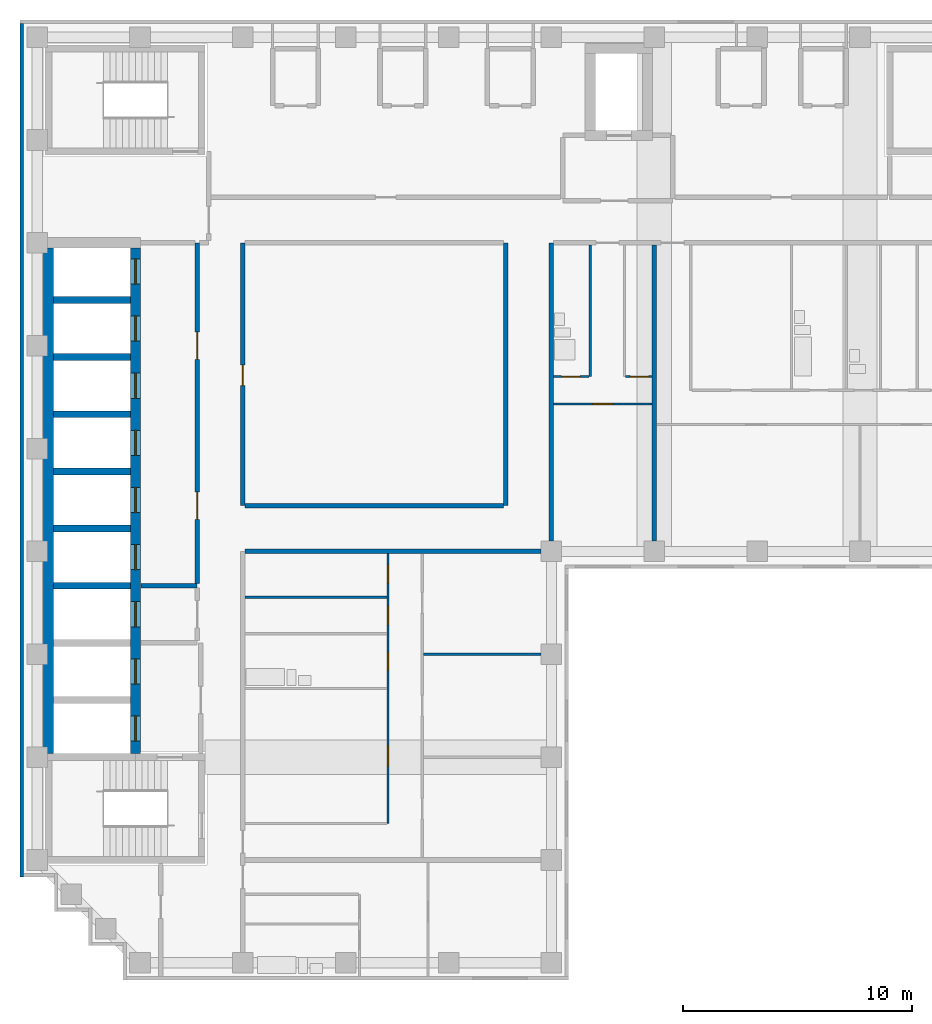
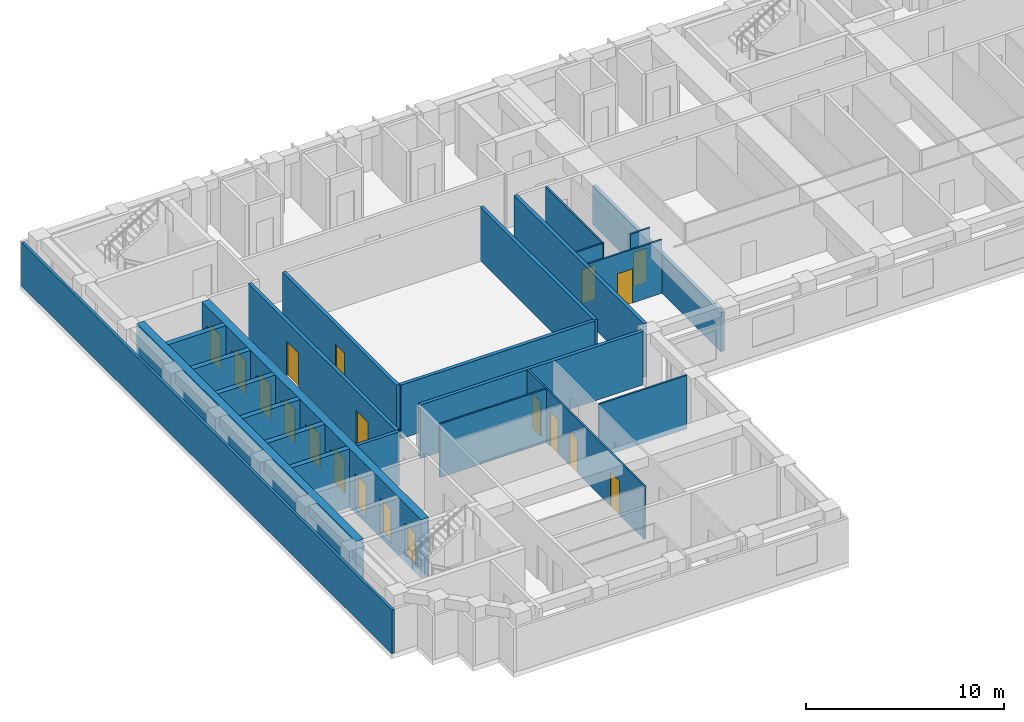
# One storey, part 3 of 9: 24 walls, 19 doors, 19 openings.
"""IFC4 building model written with IfcOpenShell, lengths in metres."""

from ifc_helpers import new_model, si_unit, direction, frame, frame_2d, origin, place, context, subcontext, project, spatial, rectangle, extrude, material, layer, layer_set, type_object, element, fill, save


model = new_model("IFC4")

# Units and contexts
model_context = context("Model", 3, precision=1e-05, world=origin(), true_north=direction((0.0, 1.0)))
body_context = subcontext(model_context, "Body", "Model", "MODEL_VIEW")
ifc_project = project(units=[si_unit("LENGTHUNIT", "METRE"), si_unit("AREAUNIT", "SQUARE_METRE"), si_unit("VOLUMEUNIT", "CUBIC_METRE"), si_unit("PLANEANGLEUNIT", "RADIAN"), si_unit("MASSUNIT", "GRAM", prefix="KILO")], contexts=[model_context])

# Site, building, storey
site_placement = place(None, origin())
site = spatial("IfcSite", under=ifc_project, at=site_placement, CompositionType="ELEMENT")
building_placement = place(site_placement, origin())
building = spatial("IfcBuilding", under=site, at=building_placement, Name="Firuza Court", CompositionType="ELEMENT")
storey_placement = place(building_placement, frame((0.0, 0.0, 215.0)))
storey = spatial("IfcBuildingStorey", under=building, at=storey_placement, Name="L55", CompositionType="ELEMENT", Elevation=215.0)

# Walls
ifc_material_1 = material(Name="Moisture-resistant gypsum board partition")
ifc_layer_1 = layer(ifc_material_1, 0.10009765625)
ifc_layer_set_1 = layer_set([ifc_layer_1], Name="Moisture-resistant gypsum board partition")
wall_type_1 = type_object("IfcWallType", Name="Bathroom partition 100", PredefinedType="PLUMBINGWALL", material=ifc_layer_set_1)
wall_1_placement = place(storey_placement, frame((24.199951171875, 43.64990234375, 0.0), z_axis=(0.0, 0.0, 1.0), x_axis=(0.0, 1.0, 0.0)))
element("IfcWall", 1, at=wall_1_placement, inside=storey, type_object=wall_type_1, Name="Bathroom partition 100 L55", PredefinedType="PLUMBINGWALL", context=body_context, shape_type="SweptSolid", body=[
    extrude(rectangle(XDim=5.75, YDim=0.10009765625, at=frame_2d((2.875, 0.0))), origin(), (0.0, 0.0, 1.0), 3.300048828125),
])
ifc_material_2 = material(Name="Concrete C50/60", Category="concrete")
ifc_layer_2 = layer(ifc_material_2, 0.300048828125)
ifc_layer_set_2 = layer_set([ifc_layer_2], Name="Concrete C50/60")
wall_type_2 = type_object("IfcWallType", Name="Core wall 300 C50/60", PredefinedType="SHEAR", material=ifc_layer_set_2)
for number, where, z_axis, x_axis, name in (
    (2, (0.72509765625, 34.5, -0.300048828125), (0.0, 0.0, 1.0), (1.0, 0.0, 0.0), "Core wall lift shaft L55"),
    (3, (0.72509765625, 37.0, -0.300048828125), (0.0, 0.0, 1.0), (1.0, 0.0, 0.0), "Core wall lift shaft L55"),
    (4, (0.72509765625, 39.5, -0.300048828125), (0.0, 0.0, 1.0), (1.0, 0.0, 0.0), "Core wall lift shaft L55"),
    (5, (0.72509765625, 42.0, -0.300048828125), (0.0, 0.0, 1.0), (1.0, 0.0, 0.0), "Core wall lift shaft L55"),
    (6, (0.72509765625, 44.5, -0.300048828125), (0.0, 0.0, 1.0), (1.0, 0.0, 0.0), "Core wall lift shaft L55"),
    (7, (0.72509765625, 47.0, -0.300048828125), (0.0, 0.0, 1.0), (1.0, 0.0, 0.0), "Core wall lift shaft L55"),
):
    element("IfcWall", number, at=place(storey_placement, frame(where, z_axis=z_axis, x_axis=x_axis)), inside=storey, type_object=wall_type_2, Name=name, PredefinedType="SHEAR", context=body_context, shape_type="SweptSolid", body=[
        extrude(rectangle(XDim=3.349853515625, YDim=0.300048828125, at=frame_2d((1.6748046875, 0.0))), origin(), (0.0, 0.0, 1.0), 3.60009765625),
    ])
ifc_layer_3 = layer(ifc_material_2, 0.449951171875)
ifc_layer_set_3 = layer_set([ifc_layer_3], Name="Concrete C50/60")
wall_type_3 = type_object("IfcWallType", Name="Core wall 450 C50/60", PredefinedType="SHEAR", material=ifc_layer_set_3)
wall_2_placement = place(storey_placement, frame((0.5, 27.14990234375, -0.300048828125), z_axis=(0.0, 0.0, 1.0), x_axis=(0.0, 1.0, 0.0)))
element("IfcWall", 8, at=wall_2_placement, inside=storey, type_object=wall_type_3, Name="Core wall lift shaft L55", PredefinedType="SHEAR", context=body_context, shape_type="SweptSolid", body=[
    extrude(rectangle(XDim=22.125, YDim=0.449951171875, at=frame_2d((11.0625, 0.0))), origin(), (0.0, 0.0, 1.0), 3.60009765625),
])

# Wall, openings, doors
wall_3_placement = place(storey_placement, frame((4.300048828125, 27.14990234375, -0.300048828125), z_axis=(0.0, 0.0, 1.0), x_axis=(0.0, 1.0, 0.0)))
wall_3 = element("IfcWall", 9, at=wall_3_placement, inside=storey, type_object=wall_type_3, Name="Core wall lift shaft L55", PredefinedType="SHEAR", context=body_context, shape_type="SweptSolid", body=[
    extrude(rectangle(XDim=22.125, YDim=0.449951171875, at=frame_2d((11.0625, 0.0))), origin(), (0.0, 0.0, 1.0), 3.60009765625),
])
opening_1_placement = place(wall_3_placement, frame((3.050048828125, 0.0, 0.300048828125)))
opening_1 = element("IfcOpeningElement", 10, at=opening_1_placement, cuts=wall_3, Name="Opening LD-FL1-55", PredefinedType="OPENING", context=body_context, shape_type="SweptSolid", body=[
    extrude(rectangle(XDim=1.10009765625, YDim=2.10009765625, at=frame_2d((0.550048828125, 1.050048828125))), frame((0.0, 0.23681640625, 0.0), z_axis=(0.0, -1.0, 0.0), x_axis=(1.0, 0.0, 0.0)), (0.0, 0.0, 1.0), 0.473876953125),
])
opening_2_placement = place(wall_3_placement, frame((0.550048828125, 0.0, 0.300048828125)))
opening_2 = element("IfcOpeningElement", 11, at=opening_2_placement, cuts=wall_3, Name="Opening LD-FL2-55", PredefinedType="OPENING", context=body_context, shape_type="SweptSolid", body=[
    extrude(rectangle(XDim=1.10009765625, YDim=2.10009765625, at=frame_2d((0.550048828125, 1.050048828125))), frame((0.0, 0.23681640625, 0.0), z_axis=(0.0, -1.0, 0.0), x_axis=(1.0, 0.0, 0.0)), (0.0, 0.0, 1.0), 0.473876953125),
])
opening_3_placement = place(wall_3_placement, frame((20.550048828125, 0.0, 0.300048828125)))
opening_3 = element("IfcOpeningElement", 12, at=opening_3_placement, cuts=wall_3, Name="Opening LD-HB1-55", PredefinedType="OPENING", context=body_context, shape_type="SweptSolid", body=[
    extrude(rectangle(XDim=1.10009765625, YDim=2.10009765625, at=frame_2d((0.550048828125, 1.050048828125))), frame((0.0, 0.23681640625, 0.0), z_axis=(0.0, -1.0, 0.0), x_axis=(1.0, 0.0, 0.0)), (0.0, 0.0, 1.0), 0.473876953125),
])
opening_4_placement = place(wall_3_placement, frame((18.050048828125, 0.0, 0.300048828125)))
opening_4 = element("IfcOpeningElement", 13, at=opening_4_placement, cuts=wall_3, Name="Opening LD-HB2-55", PredefinedType="OPENING", context=body_context, shape_type="SweptSolid", body=[
    extrude(rectangle(XDim=1.10009765625, YDim=2.10009765625, at=frame_2d((0.550048828125, 1.050048828125))), frame((0.0, 0.23681640625, 0.0), z_axis=(0.0, -1.0, 0.0), x_axis=(1.0, 0.0, 0.0)), (0.0, 0.0, 1.0), 0.473876953125),
])
opening_5_placement = place(wall_3_placement, frame((15.550048828125, 0.0, 0.300048828125)))
opening_5 = element("IfcOpeningElement", 14, at=opening_5_placement, cuts=wall_3, Name="Opening LD-HB3-55", PredefinedType="OPENING", context=body_context, shape_type="SweptSolid", body=[
    extrude(rectangle(XDim=1.10009765625, YDim=2.10009765625, at=frame_2d((0.550048828125, 1.050048828125))), frame((0.0, 0.23681640625, 0.0), z_axis=(0.0, -1.0, 0.0), x_axis=(1.0, 0.0, 0.0)), (0.0, 0.0, 1.0), 0.473876953125),
])
opening_6_placement = place(wall_3_placement, frame((13.050048828125, 0.0, 0.300048828125)))
opening_6 = element("IfcOpeningElement", 15, at=opening_6_placement, cuts=wall_3, Name="Opening LD-HB4-55", PredefinedType="OPENING", context=body_context, shape_type="SweptSolid", body=[
    extrude(rectangle(XDim=1.10009765625, YDim=2.10009765625, at=frame_2d((0.550048828125, 1.050048828125))), frame((0.0, 0.23681640625, 0.0), z_axis=(0.0, -1.0, 0.0), x_axis=(1.0, 0.0, 0.0)), (0.0, 0.0, 1.0), 0.473876953125),
])
opening_7_placement = place(wall_3_placement, frame((10.550048828125, 0.0, 0.300048828125)))
opening_7 = element("IfcOpeningElement", 16, at=opening_7_placement, cuts=wall_3, Name="Opening LD-HB5-55", PredefinedType="OPENING", context=body_context, shape_type="SweptSolid", body=[
    extrude(rectangle(XDim=1.10009765625, YDim=2.10009765625, at=frame_2d((0.550048828125, 1.050048828125))), frame((0.0, 0.23681640625, 0.0), z_axis=(0.0, -1.0, 0.0), x_axis=(1.0, 0.0, 0.0)), (0.0, 0.0, 1.0), 0.473876953125),
])
opening_8_placement = place(wall_3_placement, frame((8.050048828125, 0.0, 0.300048828125)))
opening_8 = element("IfcOpeningElement", 17, at=opening_8_placement, cuts=wall_3, Name="Opening LD-HB6-55", PredefinedType="OPENING", context=body_context, shape_type="SweptSolid", body=[
    extrude(rectangle(XDim=1.10009765625, YDim=2.10009765625, at=frame_2d((0.550048828125, 1.050048828125))), frame((0.0, 0.23681640625, 0.0), z_axis=(0.0, -1.0, 0.0), x_axis=(1.0, 0.0, 0.0)), (0.0, 0.0, 1.0), 0.473876953125),
])
opening_9_placement = place(wall_3_placement, frame((5.550048828125, 0.0, 0.300048828125)))
opening_9 = element("IfcOpeningElement", 18, at=opening_9_placement, cuts=wall_3, Name="Opening LD-SL1-55", PredefinedType="OPENING", context=body_context, shape_type="SweptSolid", body=[
    extrude(rectangle(XDim=1.10009765625, YDim=2.10009765625, at=frame_2d((0.550048828125, 1.050048828125))), frame((0.0, 0.23681640625, 0.0), z_axis=(0.0, -1.0, 0.0), x_axis=(1.0, 0.0, 0.0)), (0.0, 0.0, 1.0), 0.473876953125),
])
ifc_material_3 = material(Name="Stainless steel 1.4301 door leaf", Category="steel")
door_type_1 = type_object("IfcDoorType", Name="Lift landing door 1100", OperationType="SLIDING_TO_LEFT", PredefinedType="DOOR", material=ifc_material_3)
door_1_placement = place(opening_1_placement, origin())
door_1 = element("IfcDoor", 19, at=door_1_placement, inside=storey, type_object=door_type_1, Name="Landing door FL1", OperationType="SLIDING_TO_LEFT", OverallHeight=2.10009765625, OverallWidth=1.10009765625, PredefinedType="DOOR", context=body_context, shape_type="SweptSolid", body=[
    extrude(rectangle(XDim=1.10009765625, YDim=2.10009765625, at=frame_2d((0.550048828125, 1.050048828125))), frame((0.0, 0.02490234375, 0.0), z_axis=(0.0, -1.0, 0.0), x_axis=(1.0, 0.0, 0.0)), (0.0, 0.0, 1.0), 0.050048828125),
])
fill(opening_1, door_1)
door_2_placement = place(opening_2_placement, origin())
door_2 = element("IfcDoor", 20, at=door_2_placement, inside=storey, type_object=door_type_1, Name="Landing door FL2", OperationType="SLIDING_TO_LEFT", OverallHeight=2.10009765625, OverallWidth=1.10009765625, PredefinedType="DOOR", context=body_context, shape_type="SweptSolid", body=[
    extrude(rectangle(XDim=1.10009765625, YDim=2.10009765625, at=frame_2d((0.550048828125, 1.050048828125))), frame((0.0, 0.02490234375, 0.0), z_axis=(0.0, -1.0, 0.0), x_axis=(1.0, 0.0, 0.0)), (0.0, 0.0, 1.0), 0.050048828125),
])
fill(opening_2, door_2)
door_3_placement = place(opening_3_placement, origin())
door_3 = element("IfcDoor", 21, at=door_3_placement, inside=storey, type_object=door_type_1, Name="Landing door HB1", OperationType="SLIDING_TO_LEFT", OverallHeight=2.10009765625, OverallWidth=1.10009765625, PredefinedType="DOOR", context=body_context, shape_type="SweptSolid", body=[
    extrude(rectangle(XDim=1.10009765625, YDim=2.10009765625, at=frame_2d((0.550048828125, 1.050048828125))), frame((0.0, 0.02490234375, 0.0), z_axis=(0.0, -1.0, 0.0), x_axis=(1.0, 0.0, 0.0)), (0.0, 0.0, 1.0), 0.050048828125),
])
fill(opening_3, door_3)
door_4_placement = place(opening_4_placement, origin())
door_4 = element("IfcDoor", 22, at=door_4_placement, inside=storey, type_object=door_type_1, Name="Landing door HB2", OperationType="SLIDING_TO_LEFT", OverallHeight=2.10009765625, OverallWidth=1.10009765625, PredefinedType="DOOR", context=body_context, shape_type="SweptSolid", body=[
    extrude(rectangle(XDim=1.10009765625, YDim=2.10009765625, at=frame_2d((0.550048828125, 1.050048828125))), frame((0.0, 0.02490234375, 0.0), z_axis=(0.0, -1.0, 0.0), x_axis=(1.0, 0.0, 0.0)), (0.0, 0.0, 1.0), 0.050048828125),
])
fill(opening_4, door_4)
door_5_placement = place(opening_5_placement, origin())
door_5 = element("IfcDoor", 23, at=door_5_placement, inside=storey, type_object=door_type_1, Name="Landing door HB3", OperationType="SLIDING_TO_LEFT", OverallHeight=2.10009765625, OverallWidth=1.10009765625, PredefinedType="DOOR", context=body_context, shape_type="SweptSolid", body=[
    extrude(rectangle(XDim=1.10009765625, YDim=2.10009765625, at=frame_2d((0.550048828125, 1.050048828125))), frame((0.0, 0.02490234375, 0.0), z_axis=(0.0, -1.0, 0.0), x_axis=(1.0, 0.0, 0.0)), (0.0, 0.0, 1.0), 0.050048828125),
])
fill(opening_5, door_5)
door_6_placement = place(opening_6_placement, origin())
door_6 = element("IfcDoor", 24, at=door_6_placement, inside=storey, type_object=door_type_1, Name="Landing door HB4", OperationType="SLIDING_TO_LEFT", OverallHeight=2.10009765625, OverallWidth=1.10009765625, PredefinedType="DOOR", context=body_context, shape_type="SweptSolid", body=[
    extrude(rectangle(XDim=1.10009765625, YDim=2.10009765625, at=frame_2d((0.550048828125, 1.050048828125))), frame((0.0, 0.02490234375, 0.0), z_axis=(0.0, -1.0, 0.0), x_axis=(1.0, 0.0, 0.0)), (0.0, 0.0, 1.0), 0.050048828125),
])
fill(opening_6, door_6)
door_7_placement = place(opening_7_placement, origin())
door_7 = element("IfcDoor", 25, at=door_7_placement, inside=storey, type_object=door_type_1, Name="Landing door HB5", OperationType="SLIDING_TO_LEFT", OverallHeight=2.10009765625, OverallWidth=1.10009765625, PredefinedType="DOOR", context=body_context, shape_type="SweptSolid", body=[
    extrude(rectangle(XDim=1.10009765625, YDim=2.10009765625, at=frame_2d((0.550048828125, 1.050048828125))), frame((0.0, 0.02490234375, 0.0), z_axis=(0.0, -1.0, 0.0), x_axis=(1.0, 0.0, 0.0)), (0.0, 0.0, 1.0), 0.050048828125),
])
fill(opening_7, door_7)
door_8_placement = place(opening_8_placement, origin())
door_8 = element("IfcDoor", 26, at=door_8_placement, inside=storey, type_object=door_type_1, Name="Landing door HB6", OperationType="SLIDING_TO_LEFT", OverallHeight=2.10009765625, OverallWidth=1.10009765625, PredefinedType="DOOR", context=body_context, shape_type="SweptSolid", body=[
    extrude(rectangle(XDim=1.10009765625, YDim=2.10009765625, at=frame_2d((0.550048828125, 1.050048828125))), frame((0.0, 0.02490234375, 0.0), z_axis=(0.0, -1.0, 0.0), x_axis=(1.0, 0.0, 0.0)), (0.0, 0.0, 1.0), 0.050048828125),
])
fill(opening_8, door_8)
door_9_placement = place(opening_9_placement, origin())
door_9 = element("IfcDoor", 27, at=door_9_placement, inside=storey, type_object=door_type_1, Name="Landing door SL1", OperationType="SLIDING_TO_LEFT", OverallHeight=2.10009765625, OverallWidth=1.10009765625, PredefinedType="DOOR", context=body_context, shape_type="SweptSolid", body=[
    extrude(rectangle(XDim=1.10009765625, YDim=2.10009765625, at=frame_2d((0.550048828125, 1.050048828125))), frame((0.0, 0.02490234375, 0.0), z_axis=(0.0, -1.0, 0.0), x_axis=(1.0, 0.0, 0.0)), (0.0, 0.0, 1.0), 0.050048828125),
])
fill(opening_9, door_9)

# Wall, opening, door
ifc_material_4 = material(Name="Blockwork, plastered both sides", Category="masonry")
ifc_layer_4 = layer(ifc_material_4, 0.199951171875)
ifc_layer_set_4 = layer_set([ifc_layer_4], Name="Blockwork, plastered both sides")
wall_type_4 = type_object("IfcWallType", Name="Corridor wall 200", PredefinedType="PARTITIONING", material=ifc_layer_set_4)
wall_4_placement = place(storey_placement, frame((9.0, 38.0, 0.0), z_axis=(0.0, 0.0, 1.0), x_axis=(0.0, 1.0, 0.0)))
wall_4 = element("IfcWall", 28, at=wall_4_placement, inside=storey, type_object=wall_type_4, Name="Corridor wall 200 L55", PredefinedType="PARTITIONING", context=body_context, shape_type="SweptSolid", body=[
    extrude(rectangle(XDim=11.5, YDim=0.199951171875, at=frame_2d((5.75, 0.0))), origin(), (0.0, 0.0, 1.0), 3.300048828125),
])
opening_10_placement = place(wall_4_placement, frame((5.25, 0.0, 0.0)))
opening_10 = element("IfcOpeningElement", 29, at=opening_10_placement, cuts=wall_4, Name="Opening D55026", PredefinedType="OPENING", context=body_context, shape_type="SweptSolid", body=[
    extrude(rectangle(XDim=0.89990234375, YDim=2.10009765625, at=frame_2d((0.449951171875, 1.050048828125))), frame((0.0, 0.11181640625, 0.0), z_axis=(0.0, -1.0, 0.0), x_axis=(1.0, 0.0, 0.0)), (0.0, 0.0, 1.0), 0.223876953125),
])
ifc_material_5 = material(Name="Timber door leaf in hardwood frame", Category="wood")
door_type_2 = type_object("IfcDoorType", Name="Room door 900 EI 30", OperationType="SINGLE_SWING_LEFT", PredefinedType="DOOR", material=ifc_material_5)
door_10_placement = place(opening_10_placement, frame((0.89990234375, 0.0, 0.0), z_axis=(0.0, 0.0, 1.0), x_axis=(-1.0, 0.0, 0.0)))
door_10 = element("IfcDoor", 30, at=door_10_placement, inside=storey, type_object=door_type_2, Name="Library door", OperationType="SINGLE_SWING_RIGHT", OverallHeight=2.10009765625, OverallWidth=0.89990234375, PredefinedType="DOOR", context=body_context, shape_type="SweptSolid", body=[
    extrude(rectangle(XDim=0.89990234375, YDim=2.10009765625, at=frame_2d((0.449951171875, 1.050048828125))), frame((0.0, 0.02490234375, 0.0), z_axis=(0.0, -1.0, 0.0), x_axis=(1.0, 0.0, 0.0)), (0.0, 0.0, 1.0), 0.050048828125),
])
fill(opening_10, door_10)

# Walls
wall_5_placement = place(storey_placement, frame((9.10009765625, 38.0, 0.0), z_axis=(0.0, 0.0, 1.0), x_axis=(1.0, 0.0, 0.0)))
element("IfcWall", 31, at=wall_5_placement, inside=storey, type_object=wall_type_4, Name="Corridor wall 200 L55", PredefinedType="PARTITIONING", context=body_context, shape_type="SweptSolid", body=[
    extrude(rectangle(XDim=11.2998046875, YDim=0.199951171875, at=frame_2d((5.64990234375, 0.0))), origin(), (0.0, 0.0, 1.0), 3.300048828125),
])
wall_6_placement = place(storey_placement, frame((20.5, 38.0, 0.0), z_axis=(0.0, 0.0, 1.0), x_axis=(0.0, 1.0, 0.0)))
element("IfcWall", 32, at=wall_6_placement, inside=storey, type_object=wall_type_4, Name="Corridor wall 200 L55", PredefinedType="PARTITIONING", context=body_context, shape_type="SweptSolid", body=[
    extrude(rectangle(XDim=11.5, YDim=0.199951171875, at=frame_2d((5.75, 0.0))), origin(), (0.0, 0.0, 1.0), 3.300048828125),
])

# Wall, openings, doors
ifc_material_6 = material(Name="Timber stud partition, plasterboard both sides", Category="wood")
ifc_layer_5 = layer(ifc_material_6, 0.10009765625)
ifc_layer_set_5 = layer_set([ifc_layer_5], Name="Timber stud partition, plasterboard both sides")
wall_type_5 = type_object("IfcWallType", Name="Partition wall 100", PredefinedType="PARTITIONING", material=ifc_layer_set_5)
wall_7_placement = place(storey_placement, frame((15.35009765625, 24.10009765625, 0.0), z_axis=(0.0, 0.0, 1.0), x_axis=(0.0, 1.0, 0.0)))
wall_7 = element("IfcWall", 33, at=wall_7_placement, inside=storey, type_object=wall_type_5, Name="Partition wall 100 L55", PredefinedType="PARTITIONING", context=body_context, shape_type="SweptSolid", body=[
    extrude(rectangle(XDim=11.7998046875, YDim=0.10009765625, at=frame_2d((5.89990234375, 0.0))), origin(), (0.0, 0.0, 1.0), 3.300048828125),
])
opening_11_placement = place(wall_7_placement, frame((6.699951171875, 0.0, 0.0)))
opening_11 = element("IfcOpeningElement", 34, at=opening_11_placement, cuts=wall_7, Name="Opening D55022", PredefinedType="OPENING", context=body_context, shape_type="SweptSolid", body=[
    extrude(rectangle(XDim=0.800048828125, YDim=2.10009765625, at=frame_2d((0.39990234375, 1.050048828125))), frame((0.0, 0.06201171875, 0.0), z_axis=(0.0, -1.0, 0.0), x_axis=(1.0, 0.0, 0.0)), (0.0, 0.0, 1.0), 0.1240234375),
])
opening_12_placement = place(wall_7_placement, frame((2.5, 0.0, 0.0)))
opening_12 = element("IfcOpeningElement", 35, at=opening_12_placement, cuts=wall_7, Name="Opening D55023", PredefinedType="OPENING", context=body_context, shape_type="SweptSolid", body=[
    extrude(rectangle(XDim=0.89990234375, YDim=2.10009765625, at=frame_2d((0.449951171875, 1.050048828125))), frame((0.0, 0.06201171875, 0.0), z_axis=(0.0, -1.0, 0.0), x_axis=(1.0, 0.0, 0.0)), (0.0, 0.0, 1.0), 0.1240234375),
])
opening_13_placement = place(wall_7_placement, frame((8.699951171875, 0.0, 0.0)))
opening_13 = element("IfcOpeningElement", 36, at=opening_13_placement, cuts=wall_7, Name="Opening D55024", PredefinedType="OPENING", context=body_context, shape_type="SweptSolid", body=[
    extrude(rectangle(XDim=0.800048828125, YDim=2.10009765625, at=frame_2d((0.39990234375, 1.050048828125))), frame((0.0, 0.06201171875, 0.0), z_axis=(0.0, -1.0, 0.0), x_axis=(1.0, 0.0, 0.0)), (0.0, 0.0, 1.0), 0.1240234375),
])
opening_14_placement = place(wall_7_placement, frame((10.5, 0.0, 0.0)))
opening_14 = element("IfcOpeningElement", 37, at=opening_14_placement, cuts=wall_7, Name="Opening D55025", PredefinedType="OPENING", context=body_context, shape_type="SweptSolid", body=[
    extrude(rectangle(XDim=0.800048828125, YDim=2.10009765625, at=frame_2d((0.39990234375, 1.050048828125))), frame((0.0, 0.06201171875, 0.0), z_axis=(0.0, -1.0, 0.0), x_axis=(1.0, 0.0, 0.0)), (0.0, 0.0, 1.0), 0.1240234375),
])
ifc_material_7 = material(Name="Timber door leaf in hardwood frame", Category="wood")
door_type_3 = type_object("IfcDoorType", Name="Bathroom door 800", OperationType="SINGLE_SWING_LEFT", PredefinedType="DOOR", material=ifc_material_7)
door_11_placement = place(opening_11_placement, origin())
door_11 = element("IfcDoor", 38, at=door_11_placement, inside=storey, type_object=door_type_3, Name="Bathroom door", OperationType="SINGLE_SWING_LEFT", OverallHeight=2.10009765625, OverallWidth=0.800048828125, PredefinedType="DOOR", context=body_context, shape_type="SweptSolid", body=[
    extrude(rectangle(XDim=0.800048828125, YDim=2.10009765625, at=frame_2d((0.39990234375, 1.050048828125))), frame((0.0, 0.02490234375, 0.0), z_axis=(0.0, -1.0, 0.0), x_axis=(1.0, 0.0, 0.0)), (0.0, 0.0, 1.0), 0.050048828125),
])
fill(opening_11, door_11)
ifc_material_8 = material(Name="Timber door leaf in hardwood frame", Category="wood")
door_type_4 = type_object("IfcDoorType", Name="Room door 800", OperationType="SINGLE_SWING_LEFT", PredefinedType="DOOR", material=ifc_material_8)
door_12_placement = place(opening_13_placement, origin())
door_12 = element("IfcDoor", 39, at=door_12_placement, inside=storey, type_object=door_type_4, Name="Store door", OperationType="SINGLE_SWING_LEFT", OverallHeight=2.10009765625, OverallWidth=0.800048828125, PredefinedType="DOOR", context=body_context, shape_type="SweptSolid", body=[
    extrude(rectangle(XDim=0.800048828125, YDim=2.10009765625, at=frame_2d((0.39990234375, 1.050048828125))), frame((0.0, 0.02490234375, 0.0), z_axis=(0.0, -1.0, 0.0), x_axis=(1.0, 0.0, 0.0)), (0.0, 0.0, 1.0), 0.050048828125),
])
fill(opening_13, door_12)
door_13_placement = place(opening_14_placement, origin())
door_13 = element("IfcDoor", 40, at=door_13_placement, inside=storey, type_object=door_type_4, Name="Utility room door", OperationType="SINGLE_SWING_LEFT", OverallHeight=2.10009765625, OverallWidth=0.800048828125, PredefinedType="DOOR", context=body_context, shape_type="SweptSolid", body=[
    extrude(rectangle(XDim=0.800048828125, YDim=2.10009765625, at=frame_2d((0.39990234375, 1.050048828125))), frame((0.0, 0.02490234375, 0.0), z_axis=(0.0, -1.0, 0.0), x_axis=(1.0, 0.0, 0.0)), (0.0, 0.0, 1.0), 0.050048828125),
])
fill(opening_14, door_13)
ifc_material_9 = material(Name="Timber door leaf in hardwood frame", Category="wood")
door_type_5 = type_object("IfcDoorType", Name="Room door 900", OperationType="SINGLE_SWING_LEFT", PredefinedType="DOOR", material=ifc_material_9)
door_14_placement = place(opening_12_placement, origin())
door_14 = element("IfcDoor", 41, at=door_14_placement, inside=storey, type_object=door_type_5, Name="Kitchen door", OperationType="SINGLE_SWING_LEFT", OverallHeight=2.10009765625, OverallWidth=0.89990234375, PredefinedType="DOOR", context=body_context, shape_type="SweptSolid", body=[
    extrude(rectangle(XDim=0.89990234375, YDim=2.10009765625, at=frame_2d((0.449951171875, 1.050048828125))), frame((0.0, 0.02490234375, 0.0), z_axis=(0.0, -1.0, 0.0), x_axis=(1.0, 0.0, 0.0)), (0.0, 0.0, 1.0), 0.050048828125),
])
fill(opening_12, door_14)

# Walls
wall_8_placement = place(storey_placement, frame((16.89990234375, 31.5, 0.0), z_axis=(0.0, 0.0, 1.0), x_axis=(1.0, 0.0, 0.0)))
element("IfcWall", 42, at=wall_8_placement, inside=storey, type_object=wall_type_5, Name="Partition wall 100 L55", PredefinedType="PARTITIONING", context=body_context, shape_type="SweptSolid", body=[
    extrude(rectangle(XDim=5.150146484375, YDim=0.10009765625, at=frame_2d((2.5751953125, 0.0))), origin(), (0.0, 0.0, 1.0), 3.300048828125),
])
wall_9_placement = place(storey_placement, frame((9.10009765625, 34.0, 0.0), z_axis=(0.0, 0.0, 1.0), x_axis=(1.0, 0.0, 0.0)))
element("IfcWall", 43, at=wall_9_placement, inside=storey, type_object=wall_type_5, Name="Partition wall 100 L55", PredefinedType="PARTITIONING", context=body_context, shape_type="SweptSolid", body=[
    extrude(rectangle(XDim=6.199951171875, YDim=0.10009765625, at=frame_2d((3.10009765625, 0.0))), origin(), (0.0, 0.0, 1.0), 3.300048828125),
])

# Wall, opening, door
wall_10_placement = place(storey_placement, frame((22.60009765625, 42.449951171875, 0.0), z_axis=(0.0, 0.0, 1.0), x_axis=(1.0, 0.0, 0.0)))
wall_10 = element("IfcWall", 44, at=wall_10_placement, inside=storey, type_object=wall_type_5, Name="Partition wall 100 L55", PredefinedType="PARTITIONING", context=body_context, shape_type="SweptSolid", body=[
    extrude(rectangle(XDim=4.2998046875, YDim=0.10009765625, at=frame_2d((2.14990234375, 0.0))), origin(), (0.0, 0.0, 1.0), 3.300048828125),
])
opening_15_placement = place(wall_10_placement, frame((1.699951171875, 0.0, 0.0)))
opening_15 = element("IfcOpeningElement", 45, at=opening_15_placement, cuts=wall_10, Name="Opening D55032", PredefinedType="OPENING", context=body_context, shape_type="SweptSolid", body=[
    extrude(rectangle(XDim=0.89990234375, YDim=2.10009765625, at=frame_2d((0.449951171875, 1.050048828125))), frame((0.0, 0.06201171875, 0.0), z_axis=(0.0, -1.0, 0.0), x_axis=(1.0, 0.0, 0.0)), (0.0, 0.0, 1.0), 0.1240234375),
])
door_15_placement = place(opening_15_placement, frame((0.89990234375, 0.0, 0.0), z_axis=(0.0, 0.0, 1.0), x_axis=(-1.0, 0.0, 0.0)))
door_15 = element("IfcDoor", 46, at=door_15_placement, inside=storey, type_object=door_type_5, Name="Studio room door", OperationType="SINGLE_SWING_RIGHT", OverallHeight=2.10009765625, OverallWidth=0.89990234375, PredefinedType="DOOR", context=body_context, shape_type="SweptSolid", body=[
    extrude(rectangle(XDim=0.89990234375, YDim=2.10009765625, at=frame_2d((0.449951171875, 1.050048828125))), frame((0.0, 0.02490234375, 0.0), z_axis=(0.0, -1.0, 0.0), x_axis=(1.0, 0.0, 0.0)), (0.0, 0.0, 1.0), 0.050048828125),
])
fill(opening_15, door_15)

wall_11_placement = place(storey_placement, frame((22.60009765625, 43.64990234375, 0.0), z_axis=(0.0, 0.0, 1.0), x_axis=(1.0, 0.0, 0.0)))
wall_11 = element("IfcWall", 47, at=wall_11_placement, inside=storey, type_object=wall_type_5, Name="Partition wall 100 L55", PredefinedType="PARTITIONING", context=body_context, shape_type="SweptSolid", body=[
    extrude(rectangle(XDim=1.5498046875, YDim=0.10009765625, at=frame_2d((0.77490234375, 0.0))), origin(), (0.0, 0.0, 1.0), 3.300048828125),
])
opening_16_placement = place(wall_11_placement, frame((0.35009765625, 0.0, 0.0)))
opening_16 = element("IfcOpeningElement", 48, at=opening_16_placement, cuts=wall_11, Name="Opening D55041", PredefinedType="OPENING", context=body_context, shape_type="SweptSolid", body=[
    extrude(rectangle(XDim=0.800048828125, YDim=2.10009765625, at=frame_2d((0.39990234375, 1.050048828125))), frame((0.0, 0.06201171875, 0.0), z_axis=(0.0, -1.0, 0.0), x_axis=(1.0, 0.0, 0.0)), (0.0, 0.0, 1.0), 0.1240234375),
])
door_16_placement = place(opening_16_placement, origin())
door_16 = element("IfcDoor", 49, at=door_16_placement, inside=storey, type_object=door_type_3, Name="Bathroom door", OperationType="SINGLE_SWING_LEFT", OverallHeight=2.10009765625, OverallWidth=0.800048828125, PredefinedType="DOOR", context=body_context, shape_type="SweptSolid", body=[
    extrude(rectangle(XDim=0.800048828125, YDim=2.10009765625, at=frame_2d((0.39990234375, 1.050048828125))), frame((0.0, 0.02490234375, 0.0), z_axis=(0.0, -1.0, 0.0), x_axis=(1.0, 0.0, 0.0)), (0.0, 0.0, 1.0), 0.050048828125),
])
fill(opening_16, door_16)

wall_12_placement = place(storey_placement, frame((25.75, 43.64990234375, 0.0), z_axis=(0.0, 0.0, 1.0), x_axis=(1.0, 0.0, 0.0)))
wall_12 = element("IfcWall", 50, at=wall_12_placement, inside=storey, type_object=wall_type_5, Name="Partition wall 100 L55", PredefinedType="PARTITIONING", context=body_context, shape_type="SweptSolid", body=[
    extrude(rectangle(XDim=1.14990234375, YDim=0.10009765625, at=frame_2d((0.574951171875, 0.0))), origin(), (0.0, 0.0, 1.0), 3.300048828125),
])
opening_17_placement = place(wall_12_placement, frame((0.199951171875, 0.0, 0.0)))
opening_17 = element("IfcOpeningElement", 51, at=opening_17_placement, cuts=wall_12, Name="Opening D55042", PredefinedType="OPENING", context=body_context, shape_type="SweptSolid", body=[
    extrude(rectangle(XDim=0.800048828125, YDim=2.10009765625, at=frame_2d((0.39990234375, 1.050048828125))), frame((0.0, 0.06201171875, 0.0), z_axis=(0.0, -1.0, 0.0), x_axis=(1.0, 0.0, 0.0)), (0.0, 0.0, 1.0), 0.1240234375),
])
door_17_placement = place(opening_17_placement, origin())
door_17 = element("IfcDoor", 52, at=door_17_placement, inside=storey, type_object=door_type_4, Name="Kitchen door", OperationType="SINGLE_SWING_LEFT", OverallHeight=2.10009765625, OverallWidth=0.800048828125, PredefinedType="DOOR", context=body_context, shape_type="SweptSolid", body=[
    extrude(rectangle(XDim=0.800048828125, YDim=2.10009765625, at=frame_2d((0.39990234375, 1.050048828125))), frame((0.0, 0.02490234375, 0.0), z_axis=(0.0, -1.0, 0.0), x_axis=(1.0, 0.0, 0.0)), (0.0, 0.0, 1.0), 0.050048828125),
])
fill(opening_17, door_17)

# Walls
ifc_layer_6 = layer(ifc_material_4, 0.199951171875)
ifc_layer_set_6 = layer_set([ifc_layer_6], Name="Blockwork, plastered both sides")
wall_type_6 = type_object("IfcWallType", Name="Party wall 200", PredefinedType="PARTITIONING", material=ifc_layer_set_6)
wall_13_placement = place(storey_placement, frame((9.10009765625, 36.0, 0.0), z_axis=(0.0, 0.0, 1.0), x_axis=(1.0, 0.0, 0.0)))
element("IfcWall", 53, at=wall_13_placement, inside=storey, type_object=wall_type_6, Name="Party wall 200 L55", PredefinedType="PARTITIONING", context=body_context, shape_type="SweptSolid", body=[
    extrude(rectangle(XDim=12.949951171875, YDim=0.199951171875, at=frame_2d((6.47509765625, 0.0))), origin(), (0.0, 0.0, 1.0), 3.300048828125),
])
wall_14_placement = place(storey_placement, frame((22.5, 36.449951171875, 0.0), z_axis=(0.0, 0.0, 1.0), x_axis=(0.0, 1.0, 0.0)))
element("IfcWall", 54, at=wall_14_placement, inside=storey, type_object=wall_type_6, Name="Party wall 200 L55", PredefinedType="PARTITIONING", context=body_context, shape_type="SweptSolid", body=[
    extrude(rectangle(XDim=13.050048828125, YDim=0.199951171875, at=frame_2d((6.52490234375, 0.0))), origin(), (0.0, 0.0, 1.0), 3.300048828125),
])
wall_15_placement = place(storey_placement, frame((27.0, 36.449951171875, 0.0), z_axis=(0.0, 0.0, 1.0), x_axis=(0.0, 1.0, 0.0)))
element("IfcWall", 55, at=wall_15_placement, inside=storey, type_object=wall_type_6, Name="Party wall 200 L55", PredefinedType="PARTITIONING", context=body_context, shape_type="SweptSolid", body=[
    extrude(rectangle(XDim=12.949951171875, YDim=0.199951171875, at=frame_2d((6.47509765625, 0.0))), origin(), (0.0, 0.0, 1.0), 2.39990234375),
])
ifc_material_10 = material(Name="Ceramic tile", Category="ceramic")
ifc_layer_7 = layer(ifc_material_10, 0.02001953125)
ifc_material_11 = material(Name="Mineral wool insulation", Category="insulation")
ifc_layer_8 = layer(ifc_material_11, 0.050048828125)
ifc_material_12 = material(Name="Concrete C40/50 precast", Category="concrete")
ifc_layer_9 = layer(ifc_material_12, 0.080078125)
ifc_layer_set_7 = layer_set([ifc_layer_7, ifc_layer_8, ifc_layer_9], Name="Concrete C40/50 precast")
wall_type_7 = type_object("IfcWallType", Name="Precast cladding wall with turquoise TILE PANEL face 150", PredefinedType="STANDARD", material=ifc_layer_set_7)
wall_16_placement = place(storey_placement, frame((-0.675048828125, 59.10009765625, 0.0), z_axis=(0.0, 0.0, 1.0), x_axis=(0.0, -1.0, 0.0)))
element("IfcWall", 56, at=wall_16_placement, inside=storey, type_object=wall_type_7, Name="Facade wall L55 W", PredefinedType="STANDARD", context=body_context, shape_type="SweptSolid", body=[
    extrude(rectangle(XDim=37.35009765625, YDim=0.14990234375, at=frame_2d((18.675048828125, 0.0))), origin(), (0.0, 0.0, 1.0), 2.699951171875),
])
ifc_material_13 = material(Name="Blockwork, fire-rated", Category="masonry")
ifc_layer_10 = layer(ifc_material_13, 0.199951171875)
ifc_layer_set_8 = layer_set([ifc_layer_10], Name="Blockwork, fire-rated")
wall_type_8 = type_object("IfcWallType", Name="Shaft wall 200", PredefinedType="PARTITIONING", material=ifc_layer_set_8)
wall_17_placement = place(storey_placement, frame((4.544921875, 34.5, 0.0), z_axis=(0.0, 0.0, 1.0), x_axis=(1.0, 0.0, 0.0)))
element("IfcWall", 57, at=wall_17_placement, inside=storey, type_object=wall_type_8, Name="Shaft wall 200 L55", PredefinedType="PARTITIONING", context=body_context, shape_type="SweptSolid", body=[
    extrude(rectangle(XDim=2.455078125, YDim=0.199951171875, at=frame_2d((1.2275390625, 0.0))), origin(), (0.0, 0.0, 1.0), 3.300048828125),
])

# Wall, openings, doors
wall_18_placement = place(storey_placement, frame((7.0, 34.60009765625, 0.0), z_axis=(0.0, 0.0, 1.0), x_axis=(0.0, 1.0, 0.0)))
wall_18 = element("IfcWall", 58, at=wall_18_placement, inside=storey, type_object=wall_type_8, Name="Shaft wall 200 L55", PredefinedType="PARTITIONING", context=body_context, shape_type="SweptSolid", body=[
    extrude(rectangle(XDim=14.89990234375, YDim=0.199951171875, at=frame_2d((7.449951171875, 0.0))), origin(), (0.0, 0.0, 1.0), 3.300048828125),
])
opening_18_placement = place(wall_18_placement, frame((2.800048828125, 0.0, 0.0)))
opening_18 = element("IfcOpeningElement", 59, at=opening_18_placement, cuts=wall_18, Name="Opening D55004", PredefinedType="OPENING", context=body_context, shape_type="SweptSolid", body=[
    extrude(rectangle(XDim=1.199951171875, YDim=2.10009765625, at=frame_2d((0.60009765625, 1.050048828125))), frame((0.0, 0.11181640625, 0.0), z_axis=(0.0, -1.0, 0.0), x_axis=(1.0, 0.0, 0.0)), (0.0, 0.0, 1.0), 0.223876953125),
])
opening_19_placement = place(wall_18_placement, frame((9.800048828125, 0.0, 0.0)))
opening_19 = element("IfcOpeningElement", 60, at=opening_19_placement, cuts=wall_18, Name="Opening D55005", PredefinedType="OPENING", context=body_context, shape_type="SweptSolid", body=[
    extrude(rectangle(XDim=1.199951171875, YDim=2.10009765625, at=frame_2d((0.60009765625, 1.050048828125))), frame((0.0, 0.11181640625, 0.0), z_axis=(0.0, -1.0, 0.0), x_axis=(1.0, 0.0, 0.0)), (0.0, 0.0, 1.0), 0.223876953125),
])
ifc_material_14 = material(Name="Timber door leaf in hardwood frame", Category="wood")
door_type_6 = type_object("IfcDoorType", Name="Lobby door 1200", OperationType="SINGLE_SWING_LEFT", PredefinedType="DOOR", material=ifc_material_14)
door_18_placement = place(opening_18_placement, origin())
door_18 = element("IfcDoor", 61, at=door_18_placement, inside=storey, type_object=door_type_6, Name="Lobby door", OperationType="SINGLE_SWING_LEFT", OverallHeight=2.10009765625, OverallWidth=1.199951171875, PredefinedType="DOOR", context=body_context, shape_type="SweptSolid", body=[
    extrude(rectangle(XDim=1.199951171875, YDim=2.10009765625, at=frame_2d((0.60009765625, 1.050048828125))), frame((0.0, 0.02490234375, 0.0), z_axis=(0.0, -1.0, 0.0), x_axis=(1.0, 0.0, 0.0)), (0.0, 0.0, 1.0), 0.050048828125),
])
fill(opening_18, door_18)
door_19_placement = place(opening_19_placement, origin())
door_19 = element("IfcDoor", 62, at=door_19_placement, inside=storey, type_object=door_type_6, Name="Lobby door", OperationType="SINGLE_SWING_RIGHT", OverallHeight=2.10009765625, OverallWidth=1.199951171875, PredefinedType="DOOR", context=body_context, shape_type="SweptSolid", body=[
    extrude(rectangle(XDim=1.199951171875, YDim=2.10009765625, at=frame_2d((0.60009765625, 1.050048828125))), frame((0.0, 0.02490234375, 0.0), z_axis=(0.0, -1.0, 0.0), x_axis=(1.0, 0.0, 0.0)), (0.0, 0.0, 1.0), 0.050048828125),
])
fill(opening_19, door_19)

save(model, "model.ifc")
